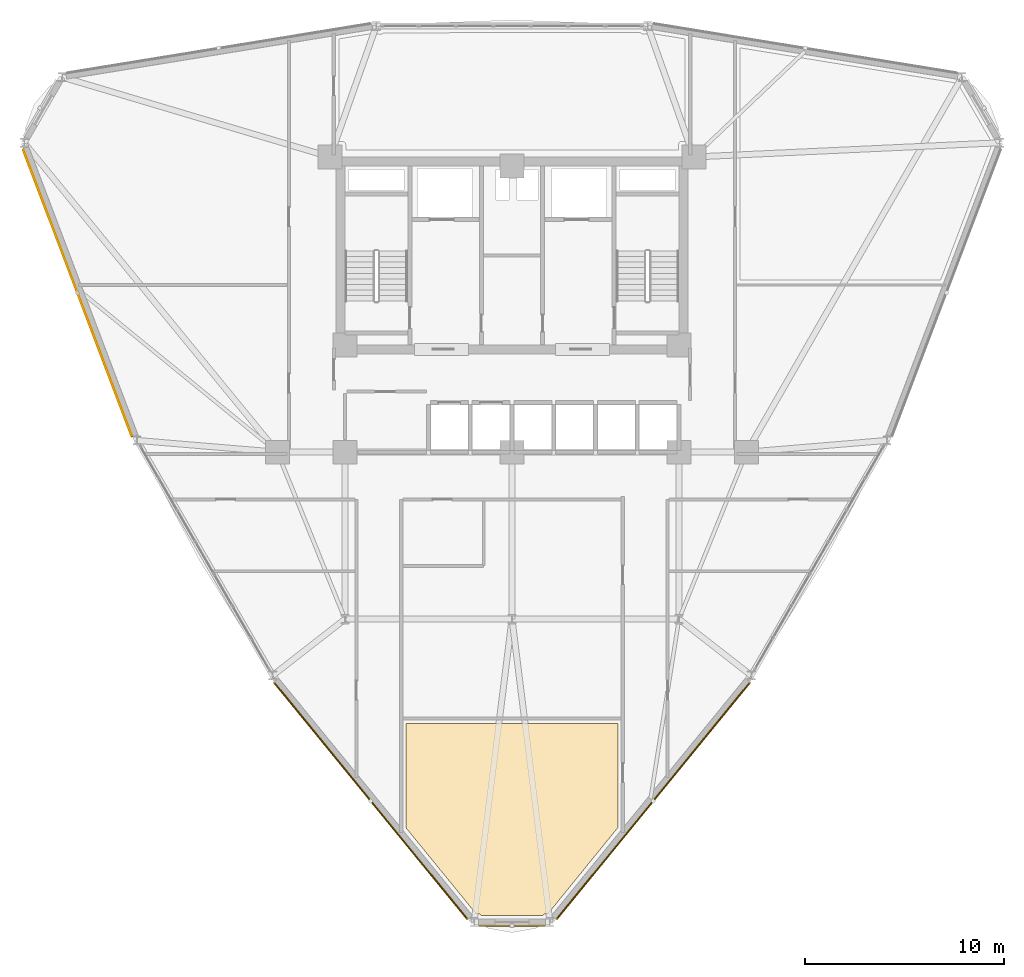
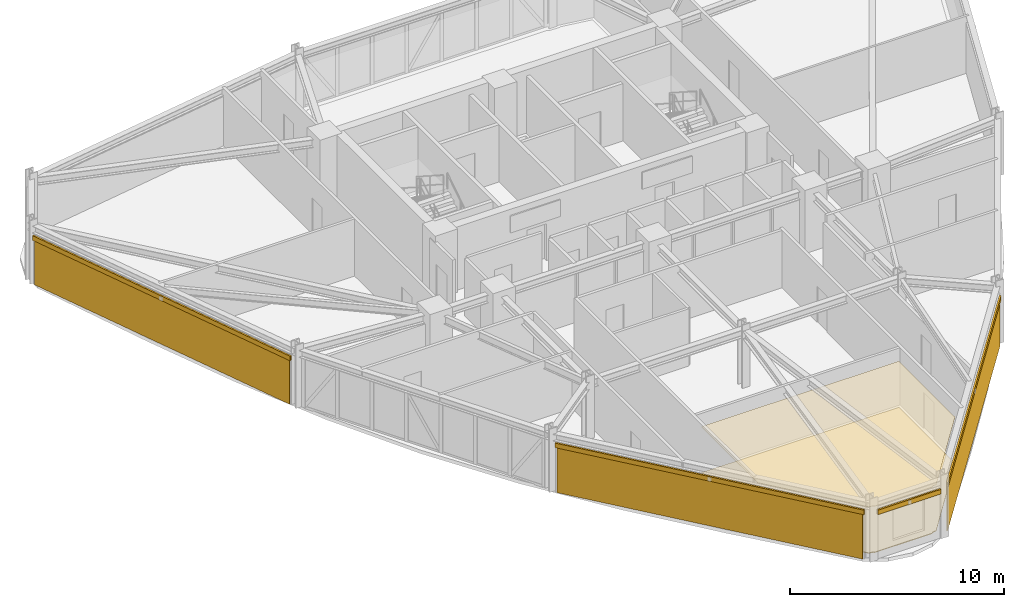
# One storey, part 14 of 17: 5 coverings, 4 shading devices.
"""IFC4 building model written with IfcOpenShell, lengths in metres."""

from ifc_helpers import new_model, si_unit, derived_unit, direction, frame, origin, origin_2d, place, context, subcontext, project, spatial, polyline, hollow_rectangle, outline, extrude, source, transform, mapped, material, layer, layer_set, material_profile, profile_set, type_object, element, save


model = new_model("IFC4")

# Units and contexts
model_context = context("Model", 3, precision=1e-05, world=origin(), true_north=direction((0.0, 1.0)))
body_context = subcontext(model_context, "Body", "Model", "MODEL_VIEW")
ifc_project = project(units=[si_unit("LENGTHUNIT", "METRE"), si_unit("AREAUNIT", "SQUARE_METRE"), si_unit("VOLUMEUNIT", "CUBIC_METRE"), si_unit("PLANEANGLEUNIT", "RADIAN"), si_unit("MASSUNIT", "GRAM", prefix="KILO"), derived_unit("THERMALTRANSMITTANCEUNIT", [(si_unit("POWERUNIT", "WATT"), 1), (si_unit("LENGTHUNIT", "METRE"), -2), (si_unit("THERMODYNAMICTEMPERATUREUNIT", "KELVIN"), -1)])], contexts=[model_context])

# Site, building, storey
site_placement = place(None, origin())
site = spatial("IfcSite", under=ifc_project, at=site_placement, CompositionType="ELEMENT")
building_placement = place(site_placement, origin())
building = spatial("IfcBuilding", under=site, at=building_placement, Name="Korsvarv Bourse and Concert Hall", CompositionType="ELEMENT")
storey_placement = place(building_placement, frame((0.0, 0.0, 127.800048828125)))
storey = spatial("IfcBuildingStorey", under=building, at=storey_placement, Name="L32", CompositionType="ELEMENT", Elevation=127.800048828125)

# Coverings
ifc_material_1 = material(Name="Perforated mineral-wool and birch acoustic baffle ceiling", Category="wood")
ifc_layer_1 = layer(ifc_material_1, 0.02490234375)
ifc_layer_set_1 = layer_set([ifc_layer_1], Name="Perforated mineral-wool and birch acoustic baffle ceiling")
covering_type_1 = type_object("IfcCoveringType", Name="COV-CEIL-1", PredefinedType="CEILING", material=ifc_layer_set_1)
covering_1_placement = place(storey_placement, frame((0.0, 0.0, 2.639892578125)))
element("IfcCovering", 1, at=covering_1_placement, inside=storey, type_object=covering_type_1, Name="L32 acoustic baffle ceiling 3", PredefinedType="CEILING", context=body_context, shape_type="SweptSolid", body=[
    extrude(outline(polyline([(30.665771484375, 13.502685546875), (30.67578125, 13.54833984375), (30.67919921875, 13.583740234375), (30.679931640625, 18.75), (41.320068359375, 18.75), (41.320068359375, 13.598388671875), (41.32373046875, 13.551513671875), (41.33056640625, 13.51708984375), (37.809814453125, 9.1806640625), (37.698974609375, 9.1806640625), (37.66455078125, 9.17724609375), (37.631591796875, 9.16748046875), (37.600830078125, 9.151611328125), (37.57373046875, 9.1298828125), (37.551513671875, 9.103515625), (34.451416015625, 9.10302734375), (34.428955078125, 9.126708984375), (34.401123046875, 9.146484375), (34.3701171875, 9.16064453125), (34.3369140625, 9.168701171875), (34.193359375, 9.176513671875), (30.665771484375, 13.502685546875)])), origin(), (0.0, 0.0, 1.0), 0.025146484375),
])
ifc_material_2 = material(Name="Warm iron-oxide extruded terracotta rainscreen tile", Category="ceramic")
ifc_layer_2 = layer(ifc_material_2, 0.044921875)
ifc_layer_set_2 = layer_set([ifc_layer_2], Name="Warm iron-oxide extruded terracotta rainscreen tile")
covering_type_2 = type_object("IfcCoveringType", Name="COV-CLD-TC", PredefinedType="CLADDING", material=ifc_layer_set_2)
covering_2_placement = place(storey_placement, origin())
element("IfcCovering", 2, at=covering_2_placement, inside=storey, type_object=covering_type_2, Name="L32 fluted terracotta cladding panel EW-L32-B06", PredefinedType="CLADDING", context=body_context, shape_type="SweptSolid", body=[
    extrude(outline(polyline([(11.448486328125, 47.61083984375), (16.892822265625, 33.2509765625), (16.850830078125, 33.235107421875), (11.406494140625, 47.594970703125), (11.448486328125, 47.61083984375)])), origin(), (0.0, 0.0, 1.0), 2.489990234375),
])
covering_3_placement = place(storey_placement, origin())
element("IfcCovering", 3, at=covering_3_placement, inside=storey, type_object=covering_type_2, Name="L32 fluted terracotta cladding panel EW-L32-B08", PredefinedType="CLADDING", context=body_context, shape_type="SweptSolid", body=[
    extrude(outline(polyline([(24.098388671875, 20.787353515625), (33.746826171875, 8.97216796875), (33.712158203125, 8.943603515625), (24.063720703125, 20.759033203125), (24.098388671875, 20.787353515625)])), origin(), (0.0, 0.0, 1.0), 2.5400390625),
])
covering_4_placement = place(storey_placement, origin())
element("IfcCovering", 4, at=covering_4_placement, inside=storey, type_object=covering_type_2, Name="L32 fluted terracotta cladding panel EW-L32-B10", PredefinedType="CLADDING", context=body_context, shape_type="SweptSolid", body=[
    extrude(outline(polyline([(38.253173828125, 8.97216796875), (47.901611328125, 20.787353515625), (47.936279296875, 20.759033203125), (38.287841796875, 8.943603515625), (38.253173828125, 8.97216796875)])), origin(), (0.0, 0.0, 1.0), 2.5400390625),
])
ifc_material_3 = material(Name="Calcium-sulphate raised access trading floor with Nordic oak top", Category="wood")
ifc_layer_3 = layer(ifc_material_3, 0.0400390625)
ifc_layer_set_3 = layer_set([ifc_layer_3], Name="Calcium-sulphate raised access trading floor with Nordic oak top")
covering_type_3 = type_object("IfcCoveringType", Name="COV-FLOR-1", PredefinedType="FLOORING", material=ifc_layer_set_3)
covering_5_placement = place(storey_placement, origin())
element("IfcCovering", 5, at=covering_5_placement, inside=storey, type_object=covering_type_3, Name="L32 raised access oak floor finish 3", PredefinedType="FLOORING", context=body_context, shape_type="SweptSolid", body=[
    extrude(outline(polyline([(30.665771484375, 13.502685546875), (30.67578125, 13.54833984375), (30.67919921875, 13.583740234375), (30.679931640625, 18.75), (41.320068359375, 18.75), (41.320068359375, 13.598388671875), (41.32373046875, 13.551513671875), (41.33056640625, 13.51708984375), (37.809814453125, 9.1806640625), (37.698974609375, 9.1806640625), (37.66455078125, 9.17724609375), (37.631591796875, 9.16748046875), (37.600830078125, 9.151611328125), (37.57373046875, 9.1298828125), (37.551513671875, 9.103515625), (34.451416015625, 9.10302734375), (34.428955078125, 9.126708984375), (34.401123046875, 9.146484375), (34.3701171875, 9.16064453125), (34.3369140625, 9.168701171875), (34.193359375, 9.176513671875), (30.665771484375, 13.502685546875)])), origin(), (0.0, 0.0, 1.0), 0.0400390625),
])

# Shading devices
ifc_material_4 = material(Name="Glazed extruded architectural terracotta", Category="ceramic")
ifc_material_profile = material_profile(ifc_material_4, hollow_rectangle(XDim=0.090087890625, YDim=0.260009765625, WallThickness=0.011962890625, at=origin_2d()), Name="TC-BAG 90x260")
ifc_profile_set = profile_set([ifc_material_profile], Name="Glazed extruded architectural terracotta")
shading_device_type = type_object("IfcShadingDeviceType", Name="SHD-BAG-1", PredefinedType="USERDEFINED", material=ifc_profile_set)
shared_shape_1 = source(origin(), body_context, "Body", "SweptSolid", [
    extrude(hollow_rectangle(XDim=0.090087890625, YDim=0.260009765625, WallThickness=0.011962890625, at=origin_2d()), origin(), (0.0, 0.0, 1.0), 15.517333984375),
])
shading_device_1_placement = place(storey_placement, frame((11.3828125, 47.671630859375, 2.64990234375), z_axis=(0.354505776015, -0.935053824532, 0.0), x_axis=(0.935053824532, 0.354505776015, 0.0)))
element("IfcShadingDevice", 6, at=shading_device_1_placement, inside=storey, type_object=shading_device_type, Name="L32 terracotta baguette sunshade EW-L32-B06", ObjectType="BAGUETTE", PredefinedType="USERDEFINED", context=body_context, shape_type="MappedRepresentation", body=[
    mapped(shared_shape_1, transform((0.0, 0.0, 0.0), scale=1.0)),
])
shared_shape_2 = source(origin(), body_context, "Body", "SweptSolid", [
    extrude(hollow_rectangle(XDim=0.090087890625, YDim=0.260009765625, WallThickness=0.011962890625, at=origin_2d()), origin(), (0.0, 0.0, 1.0), 15.414306640625),
])
for number, where, z_axis, x_axis, name in (
    (7, (24.016845703125, 20.82421875, 2.699951171875), (0.632511291832, -0.774551138211, 0.0), (0.774551138211, 0.632511291832, 0.0), "L32 terracotta baguette sunshade EW-L32-B08"),
    (8, (38.2333984375, 8.885009765625, 2.699951171875), (0.632511291832, 0.774551138211, 0.0), (-0.774551138211, 0.632511291832, 0.0), "L32 terracotta baguette sunshade EW-L32-B10"),
):
    element("IfcShadingDevice", number, at=place(storey_placement, frame(where, z_axis=z_axis, x_axis=x_axis)), inside=storey, type_object=shading_device_type, Name=name, ObjectType="BAGUETTE", PredefinedType="USERDEFINED", context=body_context, shape_type="MappedRepresentation", body=[
        mapped(shared_shape_2, transform((0.0, 0.0, 0.0), scale=1.0)),
    ])
shared_shape_3 = source(origin(), body_context, "Body", "SweptSolid", [
    extrude(hollow_rectangle(XDim=0.090087890625, YDim=0.260009765625, WallThickness=0.011962890625, at=origin_2d()), origin(), (0.0, 0.0, 1.0), 3.38818359375),
])
shading_device_2_placement = place(storey_placement, frame((34.305908203125, 8.578125, 2.699951171875), z_axis=(1.0, 0.0, 0.0), x_axis=(0.0, 1.0, 0.0)))
element("IfcShadingDevice", 9, at=shading_device_2_placement, inside=storey, type_object=shading_device_type, Name="L32 terracotta baguette sunshade EW-L32-B09", ObjectType="BAGUETTE", PredefinedType="USERDEFINED", context=body_context, shape_type="MappedRepresentation", body=[
    mapped(shared_shape_3, transform((0.0, 0.0, 0.0), scale=1.0)),
])

save(model, "model.ifc")
